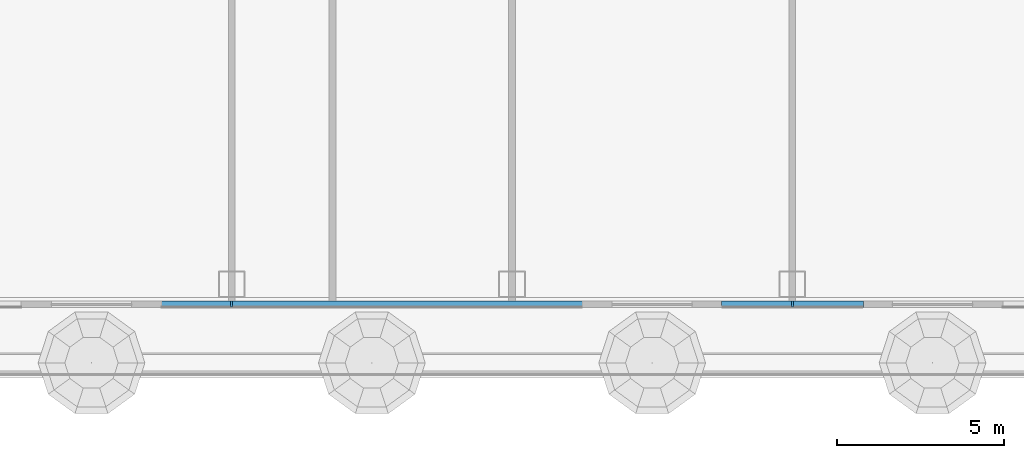
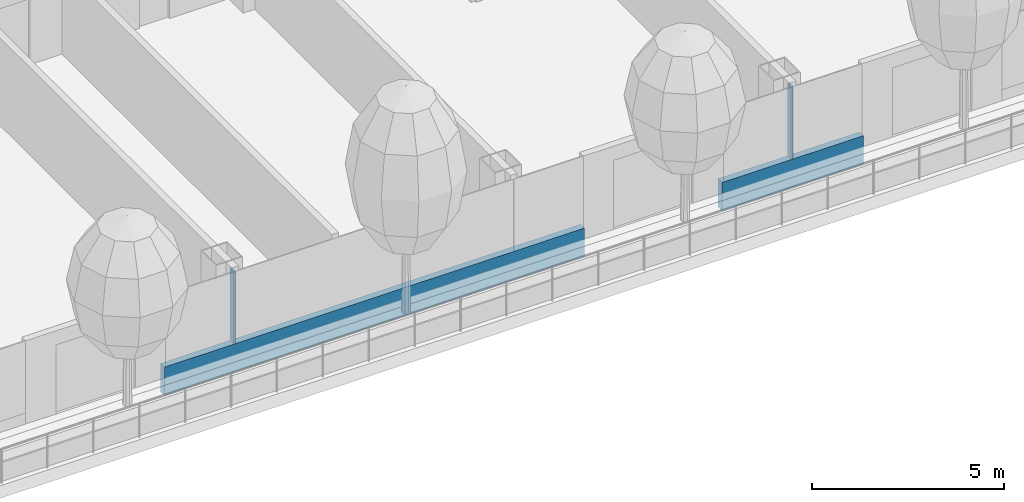
# One storey, part 4 of 34: 4 members, 1 element without a shape of its own.
"""IFC4 building model written with IfcOpenShell, lengths in metres."""

from ifc_helpers import new_model, si_unit, direction, frame, origin, origin_2d, place, context, subcontext, project, spatial, rectangle, extrude, material, layer, layer_set, material_profile, profile_set, type_object, element, aggregate, save


model = new_model("IFC4")

# Units and contexts
model_context = context("Model", 3, precision=1e-05, world=origin(), true_north=direction((0.0, 1.0)))
body_context = subcontext(model_context, "Body", "Model", "MODEL_VIEW")
ifc_project = project(units=[si_unit("LENGTHUNIT", "METRE"), si_unit("AREAUNIT", "SQUARE_METRE"), si_unit("VOLUMEUNIT", "CUBIC_METRE"), si_unit("PLANEANGLEUNIT", "RADIAN"), si_unit("MASSUNIT", "GRAM", prefix="KILO")], contexts=[model_context])

# Site, building, storey
site_placement = place(None, origin())
site = spatial("IfcSite", under=ifc_project, at=site_placement, CompositionType="ELEMENT")
building_placement = place(site_placement, origin())
building = spatial("IfcBuilding", under=site, at=building_placement, Name="Hakoniwa Tower and Hamabe Station Hall", CompositionType="ELEMENT")
storey_placement = place(building_placement, frame((0.0, 0.0, 107.39990234375)))
storey = spatial("IfcBuildingStorey", under=building, at=storey_placement, Name="L30", CompositionType="ELEMENT", Elevation=107.39990234375)

# Curtain wall, members
ifc_material_1 = material(Name="Dark low-e laminated glass", Category="glass")
ifc_layer = layer(ifc_material_1, 0.199951171875)
ifc_layer_set = layer_set([ifc_layer], Name="CW-1 UNITISED GUEST")
curtain_wall_type = type_object("IfcCurtainWallType", Name="CW-1 UNITISED GUEST", PredefinedType="NOTDEFINED", material=ifc_layer_set)
curtain_wall_placement = place(storey_placement, origin())
curtain_wall = element("IfcCurtainWall", 1, at=curtain_wall_placement, inside=storey, type_object=curtain_wall_type, Name="CW-1 curtain wall", PredefinedType="NOTDEFINED")
ifc_material_2 = material(Name="Aluminium 6063-T5 black anodised", Category="aluminium")
ifc_material_profile_1 = material_profile(ifc_material_2, rectangle(XDim=0.199951171875, YDim=0.89990234375, at=origin_2d()), Name="CW SLAB-EDGE BAND 900X200")
ifc_profile_set_1 = profile_set([ifc_material_profile_1], Name="Aluminium 6063-T5 black anodised")
member_type_1 = type_object("IfcMemberType", Name="CW SLAB-EDGE BAND 900X200", PredefinedType="USERDEFINED", material=ifc_profile_set_1)
member_1_placement = place(storey_placement, frame((-10.530029296875, -15.449951171875, -0.099853515625), z_axis=(1.0, 0.0, 0.0), x_axis=(0.0, 1.0, 0.0)))
member_1 = element("IfcMember", 2, at=member_1_placement, type_object=member_type_1, Name="CW-1 transom", ObjectType="TRANSOM", PredefinedType="USERDEFINED", context=body_context, shape_type="SweptSolid", body=[
    extrude(rectangle(XDim=0.199951171875, YDim=0.89990234375, at=origin_2d()), origin(), (0.0, 0.0, 1.0), 12.659912109375),
])
member_2_placement = place(storey_placement, frame((6.27001953125, -15.449951171875, -0.099853515625), z_axis=(1.0, 0.0, 0.0), x_axis=(0.0, 1.0, 0.0)))
member_2 = element("IfcMember", 3, at=member_2_placement, type_object=member_type_1, Name="CW-1 transom", ObjectType="TRANSOM", PredefinedType="USERDEFINED", context=body_context, shape_type="SweptSolid", body=[
    extrude(rectangle(XDim=0.199951171875, YDim=0.89990234375, at=origin_2d()), origin(), (0.0, 0.0, 1.0), 4.260009765625),
])
ifc_material_3 = material(Name="Aluminium 6063-T5 black anodised", Category="aluminium")
ifc_material_profile_2 = material_profile(ifc_material_3, rectangle(XDim=0.06005859375, YDim=0.179931640625, at=origin_2d()), Name="CW-1 MULLION 60X180")
ifc_profile_set_2 = profile_set([ifc_material_profile_2], Name="Aluminium 6063-T5 black anodised")
member_type_2 = type_object("IfcMemberType", Name="CW-1 MULLION 60X180", PredefinedType="MULLION", material=ifc_profile_set_2)
member_3_placement = place(storey_placement, frame((-8.39990234375, -15.431884765625, 0.35009765625), z_axis=(0.0, 0.0, 1.0), x_axis=(1.0, 0.0, 0.0)))
member_3 = element("IfcMember", 4, at=member_3_placement, type_object=member_type_2, Name="CW-1 mullion", PredefinedType="MULLION", context=body_context, shape_type="SweptSolid", body=[
    extrude(rectangle(XDim=0.06005859375, YDim=0.179931640625, at=origin_2d()), origin(), (0.0, 0.0, 1.0), 2.300048828125),
])
member_4_placement = place(storey_placement, frame((8.39990234375, -15.431884765625, 0.35009765625), z_axis=(0.0, 0.0, 1.0), x_axis=(1.0, 0.0, 0.0)))
member_4 = element("IfcMember", 5, at=member_4_placement, type_object=member_type_2, Name="CW-1 mullion", PredefinedType="MULLION", context=body_context, shape_type="SweptSolid", body=[
    extrude(rectangle(XDim=0.06005859375, YDim=0.179931640625, at=origin_2d()), origin(), (0.0, 0.0, 1.0), 2.300048828125),
])
aggregate(curtain_wall, [member_3, member_4, member_1, member_2])

save(model, "model.ifc")
